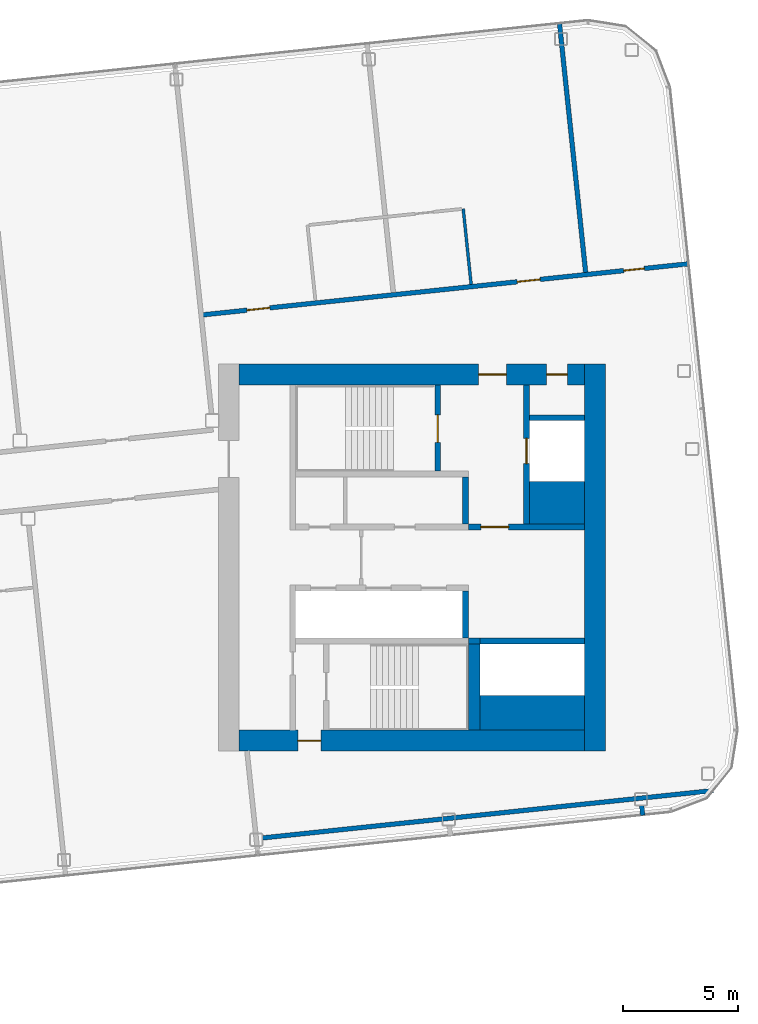
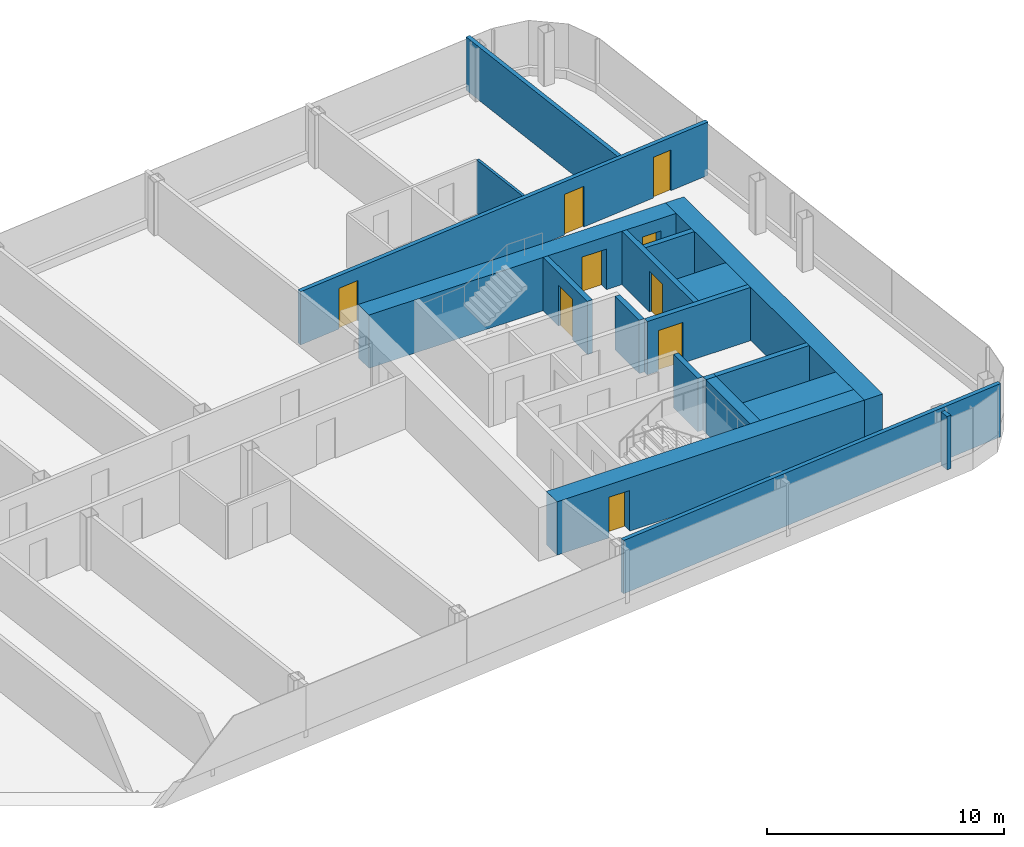
# One storey, part 17 of 26: 19 walls, 9 doors, 9 openings.
"""IFC4 building model written with IfcOpenShell, lengths in metres."""

from ifc_helpers import new_model, si_unit, direction, frame, frame_2d, origin, place, context, subcontext, project, spatial, rectangle, extrude, material, layer, layer_set, type_object, element, fill, save


model = new_model("IFC4")

# Units and contexts
model_context = context("Model", 3, precision=1e-05, world=origin(), true_north=direction((0.0, 1.0)))
body_context = subcontext(model_context, "Body", "Model", "MODEL_VIEW")
ifc_project = project(units=[si_unit("LENGTHUNIT", "METRE"), si_unit("AREAUNIT", "SQUARE_METRE"), si_unit("VOLUMEUNIT", "CUBIC_METRE"), si_unit("PLANEANGLEUNIT", "RADIAN"), si_unit("MASSUNIT", "GRAM", prefix="KILO")], contexts=[model_context])

# Site, building, storey
site_placement = place(None, origin())
site = spatial("IfcSite", under=ifc_project, at=site_placement, CompositionType="ELEMENT")
building_placement = place(site_placement, origin())
building = spatial("IfcBuilding", under=site, at=building_placement, Name="Hakoniwa Tower and Hamabe Station Hall", CompositionType="ELEMENT")
storey_placement = place(building_placement, frame((0.0, 0.0, 251.800048828125)))
storey = spatial("IfcBuildingStorey", under=building, at=storey_placement, Name="L71", CompositionType="ELEMENT", Elevation=251.800048828125)

# Walls
ifc_material_1 = material(Name="Gypsum board partition", Category="gypsum")
ifc_layer_1 = layer(ifc_material_1, 0.125)
ifc_layer_set_1 = layer_set([ifc_layer_1], Name="Bathroom Partition 125")
wall_type_1 = type_object("IfcWallType", Name="Bathroom Partition 125", PredefinedType="PARTITIONING", material=ifc_layer_set_1)
wall_1_placement = place(storey_placement, frame((27.773193359375, 11.865966796875, 0.0), z_axis=(0.0, 0.0, 1.0), x_axis=(-0.104534592565, 0.994521251134, 0.0)))
element("IfcWall", 1, at=wall_1_placement, inside=storey, type_object=wall_type_1, Name="GW-L71-036", PredefinedType="PARTITIONING", context=body_context, shape_type="SweptSolid", body=[
    extrude(rectangle(XDim=3.300048828125, YDim=0.125, at=frame_2d((1.64990234375, 0.0))), origin(), (0.0, 0.0, 1.0), 2.75),
])
ifc_material_2 = material(Name="Concrete C60", Category="concrete")
ifc_layer_2 = layer(ifc_material_2, 0.89990234375)
ifc_layer_set_2 = layer_set([ifc_layer_2], Name="CORE WALL 900 C60")
wall_type_2 = type_object("IfcWallType", Name="CORE WALL 900 C60", PredefinedType="SHEAR", material=ifc_layer_set_2)
wall_2_placement = place(storey_placement, frame((33.14990234375, -8.39990234375, 0.0), z_axis=(0.0, 0.0, 1.0), x_axis=(0.0, 1.0, 0.0)))
element("IfcWall", 2, at=wall_2_placement, inside=storey, type_object=wall_type_2, Name="Core wall OUTER east", PredefinedType="SHEAR", context=body_context, shape_type="SweptSolid", body=[
    extrude(rectangle(XDim=16.7998046875, YDim=0.89990234375, at=frame_2d((8.39990234375, 0.0))), origin(), (0.0, 0.0, 1.0), 2.75),
])

# Wall, openings, doors
wall_3_placement = place(storey_placement, frame((17.699951171875, 7.949951171875, 0.0), z_axis=(0.0, 0.0, 1.0), x_axis=(1.0, 0.0, 0.0)))
wall_3 = element("IfcWall", 3, at=wall_3_placement, inside=storey, type_object=wall_type_2, Name="Core wall NORTH east", PredefinedType="SHEAR", context=body_context, shape_type="SweptSolid", body=[
    extrude(rectangle(XDim=15.0, YDim=0.89990234375, at=frame_2d((7.5, 0.0))), origin(), (0.0, 0.0, 1.0), 2.75),
])
opening_1_placement = place(wall_3_placement, frame((10.39990234375, 0.0, 0.0)))
opening_1 = element("IfcOpeningElement", 4, at=opening_1_placement, cuts=wall_3, Name="Opening CD-E-FN1-12", PredefinedType="OPENING", context=body_context, shape_type="SweptSolid", body=[
    extrude(rectangle(XDim=1.199951171875, YDim=2.10009765625, at=frame_2d((0.60009765625, 1.050048828125))), frame((0.0, 0.4599609375, 0.0), z_axis=(0.0, -1.0, 0.0), x_axis=(1.0, 0.0, 0.0)), (0.0, 0.0, 1.0), 0.919921875),
])
opening_2_placement = place(wall_3_placement, frame((13.35009765625, 0.0, 0.0)))
opening_2 = element("IfcOpeningElement", 5, at=opening_2_placement, cuts=wall_3, Name="Opening CD-E-FN2-9", PredefinedType="OPENING", context=body_context, shape_type="SweptSolid", body=[
    extrude(rectangle(XDim=0.89990234375, YDim=2.10009765625, at=frame_2d((0.449951171875, 1.050048828125))), frame((0.0, 0.4599609375, 0.0), z_axis=(0.0, -1.0, 0.0), x_axis=(1.0, 0.0, 0.0)), (0.0, 0.0, 1.0), 0.919921875),
])
ifc_material_3 = material(Name="Steel fire door", Category="steel")
door_type_1 = type_object("IfcDoorType", Name="CORE DOOR 1200 FD60", OperationType="DOUBLE_DOOR_SINGLE_SWING", PredefinedType="DOOR", material=ifc_material_3)
door_1_placement = place(opening_1_placement, origin())
door_1 = element("IfcDoor", 6, at=door_1_placement, inside=storey, type_object=door_type_1, Name="Stair vestibule door to the fire-fighting lobby", OperationType="DOUBLE_DOOR_SINGLE_SWING", OverallHeight=2.10009765625, OverallWidth=1.199951171875, PredefinedType="DOOR", context=body_context, shape_type="SweptSolid", body=[
    extrude(rectangle(XDim=1.199951171875, YDim=2.10009765625, at=frame_2d((0.60009765625, 1.050048828125))), frame((0.0, 0.02490234375, 0.0), z_axis=(0.0, -1.0, 0.0), x_axis=(1.0, 0.0, 0.0)), (0.0, 0.0, 1.0), 0.050048828125),
])
fill(opening_1, door_1)
ifc_material_4 = material(Name="Steel fire door", Category="steel")
door_type_2 = type_object("IfcDoorType", Name="CORE DOOR 900 FD30", OperationType="NOTDEFINED", PredefinedType="DOOR", material=ifc_material_4)
door_2_placement = place(opening_2_placement, origin())
door_2 = element("IfcDoor", 7, at=door_2_placement, inside=storey, type_object=door_type_2, Name="Riser access door", OperationType="SINGLE_SWING_LEFT", OverallHeight=2.10009765625, OverallWidth=0.89990234375, PredefinedType="DOOR", context=body_context, shape_type="SweptSolid", body=[
    extrude(rectangle(XDim=0.89990234375, YDim=2.10009765625, at=frame_2d((0.449951171875, 1.050048828125))), frame((0.0, 0.02490234375, 0.0), z_axis=(0.0, -1.0, 0.0), x_axis=(1.0, 0.0, 0.0)), (0.0, 0.0, 1.0), 0.050048828125),
])
fill(opening_2, door_2)

# Wall, opening, door
wall_4_placement = place(storey_placement, frame((17.699951171875, -7.949951171875, 0.0), z_axis=(0.0, 0.0, 1.0), x_axis=(1.0, 0.0, 0.0)))
wall_4 = element("IfcWall", 8, at=wall_4_placement, inside=storey, type_object=wall_type_2, Name="Core wall SOUTH east", PredefinedType="SHEAR", context=body_context, shape_type="SweptSolid", body=[
    extrude(rectangle(XDim=15.0, YDim=0.89990234375, at=frame_2d((7.5, 0.0))), origin(), (0.0, 0.0, 1.0), 2.75),
])
opening_3_placement = place(wall_4_placement, frame((2.550048828125, 0.0, 0.0)))
opening_3 = element("IfcOpeningElement", 9, at=opening_3_placement, cuts=wall_4, Name="Opening CD-E-FS3-10", PredefinedType="OPENING", context=body_context, shape_type="SweptSolid", body=[
    extrude(rectangle(XDim=1.0, YDim=2.10009765625, at=frame_2d((0.5, 1.050048828125))), frame((0.0, 0.4599609375, 0.0), z_axis=(0.0, -1.0, 0.0), x_axis=(1.0, 0.0, 0.0)), (0.0, 0.0, 1.0), 0.919921875),
])
ifc_material_5 = material(Name="Steel fire door", Category="steel")
door_type_3 = type_object("IfcDoorType", Name="CORE DOOR 1000 FD60", OperationType="NOTDEFINED", PredefinedType="DOOR", material=ifc_material_5)
door_3_placement = place(opening_3_placement, origin())
door_3 = element("IfcDoor", 10, at=door_3_placement, inside=storey, type_object=door_type_3, Name="Stair vestibule door", OperationType="SINGLE_SWING_RIGHT", OverallHeight=2.10009765625, OverallWidth=1.0, PredefinedType="DOOR", context=body_context, shape_type="SweptSolid", body=[
    extrude(rectangle(XDim=1.0, YDim=2.10009765625, at=frame_2d((0.5, 1.050048828125))), frame((0.0, 0.02490234375, 0.0), z_axis=(0.0, -1.0, 0.0), x_axis=(1.0, 0.0, 0.0)), (0.0, 0.0, 1.0), 0.050048828125),
])
fill(opening_3, door_3)

# Walls
ifc_material_6 = material(Name="Concrete C60", Category="concrete")
ifc_layer_3 = layer(ifc_material_6, 1.5)
ifc_layer_set_3 = layer_set([ifc_layer_3], Name="CORE WEB WALL 1500 C60")
wall_type_3 = type_object("IfcWallType", Name="CORE WEB WALL 1500 C60", PredefinedType="SHEAR", material=ifc_layer_set_3)
wall_5_placement = place(storey_placement, frame((28.14990234375, -6.75, 0.0), z_axis=(0.0, 0.0, 1.0), x_axis=(1.0, 0.0, 0.0)))
element("IfcWall", 11, at=wall_5_placement, inside=storey, type_object=wall_type_3, Name="Core wall SER east", PredefinedType="SHEAR", context=body_context, shape_type="SweptSolid", body=[
    extrude(rectangle(XDim=4.550048828125, YDim=1.5, at=frame_2d((2.27490234375, 0.0))), origin(), (0.0, 0.0, 1.0), 2.75),
])
ifc_material_7 = material(Name="Concrete C60", Category="concrete")
ifc_layer_4 = layer(ifc_material_7, 1.85009765625)
ifc_layer_set_4 = layer_set([ifc_layer_4], Name="CORE WEB WALL 1850 C60")
wall_type_4 = type_object("IfcWallType", Name="CORE WEB WALL 1850 C60", PredefinedType="SHEAR", material=ifc_layer_set_4)
wall_6_placement = place(storey_placement, frame((30.300048828125, 2.375, 0.0), z_axis=(0.0, 0.0, 1.0), x_axis=(1.0, 0.0, 0.0)))
element("IfcWall", 12, at=wall_6_placement, inside=storey, type_object=wall_type_4, Name="Core wall CA east", PredefinedType="SHEAR", context=body_context, shape_type="SweptSolid", body=[
    extrude(rectangle(XDim=2.39990234375, YDim=1.85009765625, at=frame_2d((1.199951171875, 0.0))), origin(), (0.0, 0.0, 1.0), 2.75),
])
ifc_material_8 = material(Name="Concrete C60", Category="concrete")
ifc_layer_5 = layer(ifc_material_8, 0.25)
ifc_layer_set_5 = layer_set([ifc_layer_5], Name="CORE WEB WALL 250 C60")
wall_type_5 = type_object("IfcWallType", Name="CORE WEB WALL 250 C60", PredefinedType="SHEAR", material=ifc_layer_set_5)
wall_7_placement = place(storey_placement, frame((27.52490234375, 1.449951171875, 0.0), z_axis=(0.0, 0.0, 1.0), x_axis=(0.0, 1.0, 0.0)))
element("IfcWall", 13, at=wall_7_placement, inside=storey, type_object=wall_type_5, Name="Core wall NE east", PredefinedType="SHEAR", context=body_context, shape_type="SweptSolid", body=[
    extrude(rectangle(XDim=2.050048828125, YDim=0.25, at=frame_2d((1.02490234375, 0.0))), origin(), (0.0, 0.0, 1.0), 2.75),
])

# Wall, opening, door
wall_8_placement = place(storey_placement, frame((26.324951171875, 3.75, 0.0), z_axis=(0.0, 0.0, 1.0), x_axis=(0.0, 1.0, 0.0)))
wall_8 = element("IfcWall", 14, at=wall_8_placement, inside=storey, type_object=wall_type_5, Name="Core wall NSE east", PredefinedType="SHEAR", context=body_context, shape_type="SweptSolid", body=[
    extrude(rectangle(XDim=3.75, YDim=0.25, at=frame_2d((1.875, 0.0))), origin(), (0.0, 0.0, 1.0), 2.75),
])
opening_4_placement = place(wall_8_placement, frame((1.25, 0.0, 0.0)))
opening_4 = element("IfcOpeningElement", 15, at=opening_4_placement, cuts=wall_8, Name="Opening CD-E-SN-12", PredefinedType="OPENING", context=body_context, shape_type="SweptSolid", body=[
    extrude(rectangle(XDim=1.199951171875, YDim=2.10009765625, at=frame_2d((0.60009765625, 1.050048828125))), frame((0.0, 0.135009765625, 0.0), z_axis=(0.0, -1.0, 0.0), x_axis=(1.0, 0.0, 0.0)), (0.0, 0.0, 1.0), 0.27001953125),
])
door_4_placement = place(opening_4_placement, origin())
door_4 = element("IfcDoor", 16, at=door_4_placement, inside=storey, type_object=door_type_1, Name="Escape stair door", OperationType="DOUBLE_DOOR_SINGLE_SWING", OverallHeight=2.10009765625, OverallWidth=1.199951171875, PredefinedType="DOOR", context=body_context, shape_type="SweptSolid", body=[
    extrude(rectangle(XDim=1.199951171875, YDim=2.10009765625, at=frame_2d((0.60009765625, 1.050048828125))), frame((0.0, 0.02490234375, 0.0), z_axis=(0.0, -1.0, 0.0), x_axis=(1.0, 0.0, 0.0)), (0.0, 0.0, 1.0), 0.050048828125),
])
fill(opening_4, door_4)

wall_9_placement = place(storey_placement, frame((27.64990234375, 1.324951171875, 0.0), z_axis=(0.0, 0.0, 1.0), x_axis=(1.0, 0.0, 0.0)))
wall_9 = element("IfcWall", 17, at=wall_9_placement, inside=storey, type_object=wall_type_5, Name="Core wall ELN east", PredefinedType="SHEAR", context=body_context, shape_type="SweptSolid", body=[
    extrude(rectangle(XDim=5.050048828125, YDim=0.25, at=frame_2d((2.52490234375, 0.0))), origin(), (0.0, 0.0, 1.0), 2.75),
])
opening_5_placement = place(wall_9_placement, frame((0.550048828125, 0.0, 0.0)))
opening_5 = element("IfcOpeningElement", 18, at=opening_5_placement, cuts=wall_9, Name="Opening CD-E-FL-12", PredefinedType="OPENING", context=body_context, shape_type="SweptSolid", body=[
    extrude(rectangle(XDim=1.199951171875, YDim=2.10009765625, at=frame_2d((0.60009765625, 1.050048828125))), frame((0.0, 0.135009765625, 0.0), z_axis=(0.0, -1.0, 0.0), x_axis=(1.0, 0.0, 0.0)), (0.0, 0.0, 1.0), 0.27001953125),
])
door_5_placement = place(opening_5_placement, origin())
door_5 = element("IfcDoor", 19, at=door_5_placement, inside=storey, type_object=door_type_1, Name="Stair vestibule door to the fire-fighting lobby", OperationType="DOUBLE_DOOR_SINGLE_SWING", OverallHeight=2.10009765625, OverallWidth=1.199951171875, PredefinedType="DOOR", context=body_context, shape_type="SweptSolid", body=[
    extrude(rectangle(XDim=1.199951171875, YDim=2.10009765625, at=frame_2d((0.60009765625, 1.050048828125))), frame((0.0, 0.02490234375, 0.0), z_axis=(0.0, -1.0, 0.0), x_axis=(1.0, 0.0, 0.0)), (0.0, 0.0, 1.0), 0.050048828125),
])
fill(opening_5, door_5)

wall_10_placement = place(storey_placement, frame((30.175048828125, 1.449951171875, 0.0), z_axis=(0.0, 0.0, 1.0), x_axis=(0.0, 1.0, 0.0)))
wall_10 = element("IfcWall", 20, at=wall_10_placement, inside=storey, type_object=wall_type_5, Name="Core wall FFF east", PredefinedType="SHEAR", context=body_context, shape_type="SweptSolid", body=[
    extrude(rectangle(XDim=6.050048828125, YDim=0.25, at=frame_2d((3.02490234375, 0.0))), origin(), (0.0, 0.0, 1.0), 2.75),
])
opening_6_placement = place(wall_10_placement, frame((2.625, 0.0, 0.0)))
opening_6 = element("IfcOpeningElement", 21, at=opening_6_placement, cuts=wall_10, Name="Opening LD-FF2", PredefinedType="OPENING", context=body_context, shape_type="SweptSolid", body=[
    extrude(rectangle(XDim=1.10009765625, YDim=2.10009765625, at=frame_2d((0.550048828125, 1.050048828125))), frame((0.0, 0.135009765625, 0.0), z_axis=(0.0, -1.0, 0.0), x_axis=(1.0, 0.0, 0.0)), (0.0, 0.0, 1.0), 0.27001953125),
])
ifc_material_9 = material(Name="Stainless steel SUS304", Category="steel")
door_type_4 = type_object("IfcDoorType", Name="LIFT LANDING DOOR 1100 FD60", OperationType="DOUBLE_DOOR_SLIDING", PredefinedType="DOOR", material=ifc_material_9)
door_6_placement = place(opening_6_placement, origin())
door_6 = element("IfcDoor", 22, at=door_6_placement, inside=storey, type_object=door_type_4, Name="Lift landing door FF2 L71", OperationType="DOUBLE_DOOR_SLIDING", OverallHeight=2.10009765625, OverallWidth=1.10009765625, PredefinedType="DOOR", context=body_context, shape_type="SweptSolid", body=[
    extrude(rectangle(XDim=1.10009765625, YDim=2.10009765625, at=frame_2d((0.550048828125, 1.050048828125))), frame((0.0, 0.02490234375, 0.0), z_axis=(0.0, -1.0, 0.0), x_axis=(1.0, 0.0, 0.0)), (0.0, 0.0, 1.0), 0.050048828125),
])
fill(opening_6, door_6)

# Walls
wall_11_placement = place(storey_placement, frame((30.300048828125, 6.074951171875, 0.0), z_axis=(0.0, 0.0, 1.0), x_axis=(1.0, 0.0, 0.0)))
element("IfcWall", 23, at=wall_11_placement, inside=storey, type_object=wall_type_5, Name="Core wall C2 east", PredefinedType="SHEAR", context=body_context, shape_type="SweptSolid", body=[
    extrude(rectangle(XDim=2.39990234375, YDim=0.25, at=frame_2d((1.199951171875, 0.0))), origin(), (0.0, 0.0, 1.0), 2.75),
])
wall_12_placement = place(storey_placement, frame((27.52490234375, -3.5, 0.0), z_axis=(0.0, 0.0, 1.0), x_axis=(0.0, 1.0, 0.0)))
element("IfcWall", 24, at=wall_12_placement, inside=storey, type_object=wall_type_5, Name="Core wall SE east", PredefinedType="SHEAR", context=body_context, shape_type="SweptSolid", body=[
    extrude(rectangle(XDim=2.050048828125, YDim=0.25, at=frame_2d((1.02490234375, 0.0))), origin(), (0.0, 0.0, 1.0), 2.75),
])
wall_13_placement = place(storey_placement, frame((28.14990234375, -3.625, 0.0), z_axis=(0.0, 0.0, 1.0), x_axis=(1.0, 0.0, 0.0)))
element("IfcWall", 25, at=wall_13_placement, inside=storey, type_object=wall_type_5, Name="Core wall SEF east", PredefinedType="SHEAR", context=body_context, shape_type="SweptSolid", body=[
    extrude(rectangle(XDim=4.550048828125, YDim=0.25, at=frame_2d((2.27490234375, 0.0))), origin(), (0.0, 0.0, 1.0), 2.75),
])
wall_14_placement = place(storey_placement, frame((27.64990234375, -3.625, 0.0), z_axis=(0.0, 0.0, 1.0), x_axis=(1.0, 0.0, 0.0)))
element("IfcWall", 26, at=wall_14_placement, inside=storey, type_object=wall_type_5, Name="Core wall SRK east", PredefinedType="SHEAR", context=body_context, shape_type="SweptSolid", body=[
    extrude(rectangle(XDim=0.5, YDim=0.25, at=frame_2d((0.25, 0.0))), origin(), (0.0, 0.0, 1.0), 2.75),
])
ifc_material_10 = material(Name="Concrete C60", Category="concrete")
ifc_layer_6 = layer(ifc_material_10, 0.5)
ifc_layer_set_6 = layer_set([ifc_layer_6], Name="CORE WEB WALL 500 C60")
wall_type_6 = type_object("IfcWallType", Name="CORE WEB WALL 500 C60", PredefinedType="SHEAR", material=ifc_layer_set_6)
wall_15_placement = place(storey_placement, frame((27.89990234375, -7.5, 0.0), z_axis=(0.0, 0.0, 1.0), x_axis=(0.0, 1.0, 0.0)))
element("IfcWall", 27, at=wall_15_placement, inside=storey, type_object=wall_type_6, Name="Core wall SSE east", PredefinedType="SHEAR", context=body_context, shape_type="SweptSolid", body=[
    extrude(rectangle(XDim=3.75, YDim=0.5, at=frame_2d((1.875, 0.0))), origin(), (0.0, 0.0, 1.0), 2.75),
])
ifc_material_11 = material(Name="Fire-rated gypsum board partition", Category="gypsum")
ifc_layer_7 = layer(ifc_material_11, 0.199951171875)
ifc_layer_set_7 = layer_set([ifc_layer_7], Name="Corridor Wall 200")
wall_type_7 = type_object("IfcWallType", Name="Corridor Wall 200", PredefinedType="PARTITIONING", material=ifc_layer_set_7)
wall_16_placement = place(storey_placement, frame((18.708251953125, -12.17724609375, 0.0), z_axis=(0.0, 0.0, 1.0), x_axis=(0.994521604238, 0.104531233147, 0.0)))
element("IfcWall", 28, at=wall_16_placement, inside=storey, type_object=wall_type_7, Name="GW-L71-001", PredefinedType="PARTITIONING", context=body_context, shape_type="SweptSolid", body=[
    extrude(rectangle(XDim=19.6982421875, YDim=0.199951171875, at=frame_2d((9.84912109375, 0.0))), origin(), (0.0, 0.0, 1.0), 2.75),
])

# Wall, openings, doors
wall_17_placement = place(storey_placement, frame((16.04833984375, 10.533203125, 0.0), z_axis=(0.0, 0.0, 1.0), x_axis=(0.994522460242, 0.104523088709, 0.0)))
wall_17 = element("IfcWall", 29, at=wall_17_placement, inside=storey, type_object=wall_type_7, Name="GW-L71-006", PredefinedType="PARTITIONING", context=body_context, shape_type="SweptSolid", body=[
    extrude(rectangle(XDim=21.2998046875, YDim=0.199951171875, at=frame_2d((10.64990234375, 0.0))), origin(), (0.0, 0.0, 1.0), 2.75),
])
opening_7_placement = place(wall_17_placement, frame((2.0, 0.0, 0.0)))
opening_7 = element("IfcOpeningElement", 30, at=opening_7_placement, cuts=wall_17, Name="Opening GD-G5A1-18", PredefinedType="OPENING", context=body_context, shape_type="SweptSolid", body=[
    extrude(rectangle(XDim=1.0, YDim=2.10009765625, at=frame_2d((0.5, 1.050048828125))), frame((0.0, 0.10986328125, 0.0), z_axis=(0.0, -1.0, 0.0), x_axis=(1.0, 0.0, 0.0)), (0.0, 0.0, 1.0), 0.219970703125),
])
opening_8_placement = place(wall_17_placement, frame((13.800048828125, 0.0, 0.0)))
opening_8 = element("IfcOpeningElement", 31, at=opening_8_placement, cuts=wall_17, Name="Opening GD-G5A1-19", PredefinedType="OPENING", context=body_context, shape_type="SweptSolid", body=[
    extrude(rectangle(XDim=1.0, YDim=2.10009765625, at=frame_2d((0.5, 1.050048828125))), frame((0.0, 0.10986328125, 0.0), z_axis=(0.0, -1.0, 0.0), x_axis=(1.0, 0.0, 0.0)), (0.0, 0.0, 1.0), 0.219970703125),
])
opening_9_placement = place(wall_17_placement, frame((18.449951171875, 0.0, 0.0)))
opening_9 = element("IfcOpeningElement", 32, at=opening_9_placement, cuts=wall_17, Name="Opening GD-G5A1-20", PredefinedType="OPENING", context=body_context, shape_type="SweptSolid", body=[
    extrude(rectangle(XDim=0.89990234375, YDim=2.10009765625, at=frame_2d((0.449951171875, 1.050048828125))), frame((0.0, 0.10986328125, 0.0), z_axis=(0.0, -1.0, 0.0), x_axis=(1.0, 0.0, 0.0)), (0.0, 0.0, 1.0), 0.219970703125),
])
ifc_material_12 = material(Name="Timber door leaf", Category="wood")
door_type_5 = type_object("IfcDoorType", Name="Guest Entrance Door 1000", OperationType="SINGLE_SWING_LEFT", PredefinedType="DOOR", material=ifc_material_12)
door_7_placement = place(opening_7_placement, origin())
door_7 = element("IfcDoor", 33, at=door_7_placement, inside=storey, type_object=door_type_5, Name="Door GD-G5A1-18", OperationType="SINGLE_SWING_RIGHT", OverallHeight=2.10009765625, OverallWidth=1.0, PredefinedType="DOOR", context=body_context, shape_type="SweptSolid", body=[
    extrude(rectangle(XDim=1.0, YDim=2.10009765625, at=frame_2d((0.5, 1.050048828125))), frame((0.0, 0.02490234375, 0.0), z_axis=(0.0, -1.0, 0.0), x_axis=(1.0, 0.0, 0.0)), (0.0, 0.0, 1.0), 0.050048828125),
])
fill(opening_7, door_7)
door_8_placement = place(opening_8_placement, origin())
door_8 = element("IfcDoor", 34, at=door_8_placement, inside=storey, type_object=door_type_5, Name="Door GD-G5A1-19", OperationType="SINGLE_SWING_LEFT", OverallHeight=2.10009765625, OverallWidth=1.0, PredefinedType="DOOR", context=body_context, shape_type="SweptSolid", body=[
    extrude(rectangle(XDim=1.0, YDim=2.10009765625, at=frame_2d((0.5, 1.050048828125))), frame((0.0, 0.02490234375, 0.0), z_axis=(0.0, -1.0, 0.0), x_axis=(1.0, 0.0, 0.0)), (0.0, 0.0, 1.0), 0.050048828125),
])
fill(opening_8, door_8)
ifc_material_13 = material(Name="Timber door leaf", Category="wood")
door_type_6 = type_object("IfcDoorType", Name="Service Door 900", OperationType="SINGLE_SWING_LEFT", PredefinedType="DOOR", material=ifc_material_13)
door_9_placement = place(opening_9_placement, origin())
door_9 = element("IfcDoor", 35, at=door_9_placement, inside=storey, type_object=door_type_6, Name="Door GD-G5A1-20", OperationType="SINGLE_SWING_RIGHT", OverallHeight=2.10009765625, OverallWidth=0.89990234375, PredefinedType="DOOR", context=body_context, shape_type="SweptSolid", body=[
    extrude(rectangle(XDim=0.89990234375, YDim=2.10009765625, at=frame_2d((0.449951171875, 1.050048828125))), frame((0.0, 0.02490234375, 0.0), z_axis=(0.0, -1.0, 0.0), x_axis=(1.0, 0.0, 0.0)), (0.0, 0.0, 1.0), 0.050048828125),
])
fill(opening_9, door_9)

# Walls
ifc_material_14 = material(Name="Fire-rated gypsum board partition", Category="gypsum")
ifc_layer_8 = layer(ifc_material_14, 0.199951171875)
ifc_layer_set_8 = layer_set([ifc_layer_8], Name="Party Wall 200")
wall_type_8 = type_object("IfcWallType", Name="Party Wall 200", PredefinedType="PARTITIONING", material=ifc_layer_set_8)
wall_18_placement = place(storey_placement, frame((35.224365234375, -11.193115234375, 0.0), z_axis=(0.0, 0.0, 1.0), x_axis=(-0.104743412259, 0.994499279833, 0.0)))
element("IfcWall", 36, at=wall_18_placement, inside=storey, type_object=wall_type_8, Name="GW-L71-037", PredefinedType="PARTITIONING", context=body_context, shape_type="SweptSolid", body=[
    extrude(rectangle(XDim=0.43359375, YDim=0.199951171875, at=frame_2d((0.216796875, 0.0))), origin(), (0.0, 0.0, 1.0), 2.75),
])
wall_19_placement = place(storey_placement, frame((32.745849609375, 12.388671875, 0.0), z_axis=(0.0, 0.0, 1.0), x_axis=(-0.104533048416, 0.994521413439, 0.0)))
element("IfcWall", 37, at=wall_19_placement, inside=storey, type_object=wall_type_8, Name="GW-L71-038", PredefinedType="PARTITIONING", context=body_context, shape_type="SweptSolid", body=[
    extrude(rectangle(XDim=10.88818359375, YDim=0.199951171875, at=frame_2d((5.444091796875, 0.0))), origin(), (0.0, 0.0, 1.0), 2.75),
])

save(model, "model.ifc")
